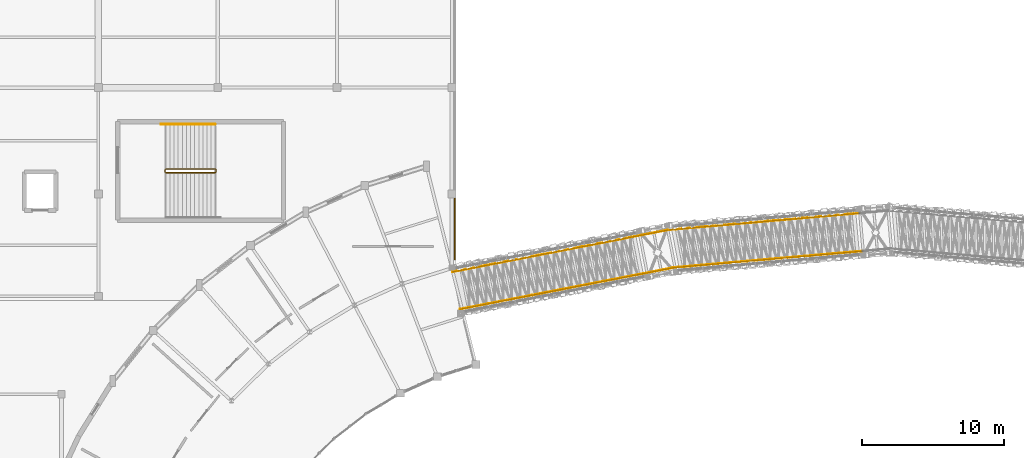
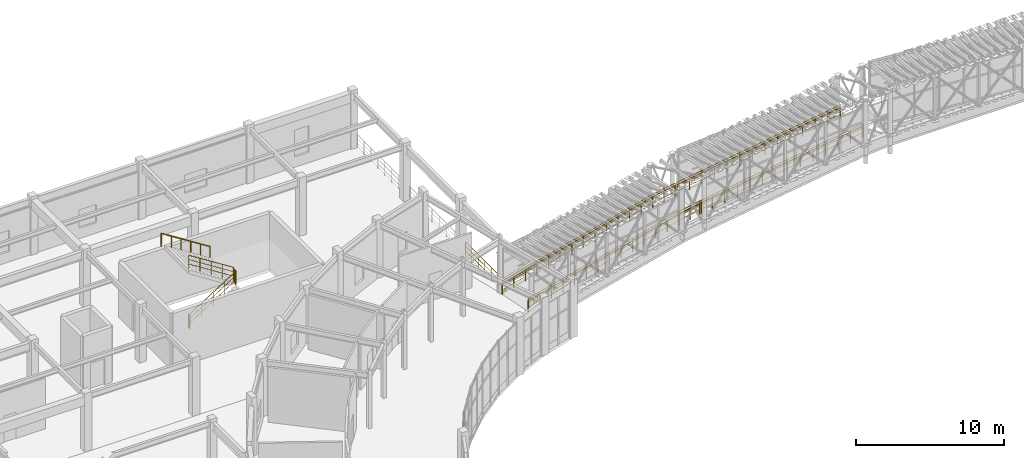
# One storey, part 138 of 144: 18 railings.
"""IFC4 building model written with IfcOpenShell, lengths in metres."""

from ifc_helpers import new_model, si_unit, direction, frame, origin, origin_2d, place, context, subcontext, project, spatial, circle, extrude, material, type_object, element, save


model = new_model("IFC4")

# Units and contexts
model_context = context("Model", 3, precision=1e-05, world=origin(), true_north=direction((0.0, 1.0)))
body_context = subcontext(model_context, "Body", "Model", "MODEL_VIEW")
ifc_project = project(units=[si_unit("LENGTHUNIT", "METRE"), si_unit("AREAUNIT", "SQUARE_METRE"), si_unit("VOLUMEUNIT", "CUBIC_METRE"), si_unit("PLANEANGLEUNIT", "RADIAN"), si_unit("MASSUNIT", "GRAM", prefix="KILO")], contexts=[model_context])

# Site, building, storey
site_placement = place(None, origin())
site = spatial("IfcSite", under=ifc_project, at=site_placement, CompositionType="ELEMENT")
building_placement = place(site_placement, origin())
building = spatial("IfcBuilding", under=site, at=building_placement, Name="Cinderbank Siding Concert Hall", CompositionType="ELEMENT")
storey_placement = place(building_placement, frame((0.0, 0.0, 5.39990234375)))
storey = spatial("IfcBuildingStorey", under=building, at=storey_placement, Name="L02", CompositionType="ELEMENT", Elevation=5.39990234375)

# Railings
ifc_material = material(Name="Structural steel AS/NZS 3679.1 Grade 350 (340 MPa)", Category="steel")
railing_type_1 = type_object("IfcRailingType", Name="GD-01 Terrace & Perimeter Guardrail 1120mm", PredefinedType="GUARDRAIL", material=ifc_material)
railing_1_placement = place(storey_placement, frame((48.54443359375, 97.81494140625, 0.0)))
element("IfcRailing", 1, at=railing_1_placement, inside=storey, type_object=railing_type_1, Name="Bridge Guardrail 1-L", PredefinedType="GUARDRAIL", context=body_context, shape_type="SweptSolid", body=[
    extrude(circle(Radius=0.02392578125, at=origin_2d()), frame((0.0, 0.0, 1.09619140625), z_axis=(0.979131926375, 0.190321837092, 0.071261974989), x_axis=(-0.190806938232, 0.981627583314, 0.0)), (0.0, 0.0, 1.0), 13.474365234375),
    extrude(circle(Radius=0.01611328125, at=origin_2d()), frame((0.0, 0.0, 0.36962890625), z_axis=(0.979131926375, 0.190321837092, 0.071261974989), x_axis=(-0.190806938232, 0.981627583314, 0.0)), (0.0, 0.0, 1.0), 13.474365234375),
    extrude(circle(Radius=0.01611328125, at=origin_2d()), frame((0.0, 0.0, 0.7392578125), z_axis=(0.979131926375, 0.190321837092, 0.071261974989), x_axis=(-0.190806938232, 0.981627583314, 0.0)), (0.0, 0.0, 1.0), 13.474365234375),
    extrude(circle(Radius=0.02099609375, at=origin_2d()), origin(), (0.0, 0.0, 1.0), 1.072021484375),
    extrude(circle(Radius=0.02099609375, at=origin_2d()), frame((1.014892578125, 0.197265625, 0.073974609375)), (0.0, 0.0, 1.0), 1.072021484375),
    extrude(circle(Radius=0.02099609375, at=origin_2d()), frame((2.02978515625, 0.39453125, 0.147705078125)), (0.0, 0.0, 1.0), 1.072021484375),
    extrude(circle(Radius=0.02099609375, at=origin_2d()), frame((3.044677734375, 0.591796875, 0.2216796875)), (0.0, 0.0, 1.0), 1.072021484375),
    extrude(circle(Radius=0.02099609375, at=origin_2d()), frame((4.059326171875, 0.7890625, 0.29541015625)), (0.0, 0.0, 1.0), 1.072021484375),
    extrude(circle(Radius=0.02099609375, at=origin_2d()), frame((5.07421875, 0.986328125, 0.369384765625)), (0.0, 0.0, 1.0), 1.072021484375),
    extrude(circle(Radius=0.02099609375, at=origin_2d()), frame((6.089111328125, 1.18359375, 0.443115234375)), (0.0, 0.0, 1.0), 1.072021484375),
    extrude(circle(Radius=0.02099609375, at=origin_2d()), frame((7.10400390625, 1.380859375, 0.51708984375)), (0.0, 0.0, 1.0), 1.072021484375),
    extrude(circle(Radius=0.02099609375, at=origin_2d()), frame((8.118896484375, 1.578125, 0.5908203125)), (0.0, 0.0, 1.0), 1.072021484375),
    extrude(circle(Radius=0.02099609375, at=origin_2d()), frame((9.1337890625, 1.775390625, 0.664794921875)), (0.0, 0.0, 1.0), 1.072021484375),
    extrude(circle(Radius=0.02099609375, at=origin_2d()), frame((10.1484375, 1.97265625, 0.738525390625)), (0.0, 0.0, 1.0), 1.072021484375),
    extrude(circle(Radius=0.02099609375, at=origin_2d()), frame((11.163330078125, 2.169921875, 0.8125)), (0.0, 0.0, 1.0), 1.072021484375),
    extrude(circle(Radius=0.02099609375, at=origin_2d()), frame((12.17822265625, 2.3671875, 0.88623046875)), (0.0, 0.0, 1.0), 1.072021484375),
    extrude(circle(Radius=0.02099609375, at=origin_2d()), frame((13.193115234375, 2.564453125, 0.960205078125)), (0.0, 0.0, 1.0), 1.072021484375),
])
railing_2_placement = place(storey_placement, frame((49.0556640625, 95.18505859375, 0.0)))
element("IfcRailing", 2, at=railing_2_placement, inside=storey, type_object=railing_type_1, Name="Bridge Guardrail 1-R", PredefinedType="GUARDRAIL", context=body_context, shape_type="SweptSolid", body=[
    extrude(circle(Radius=0.02392578125, at=origin_2d()), frame((0.0, 0.0, 1.09619140625), z_axis=(0.979131926375, 0.190321837092, 0.071261974989), x_axis=(-0.190806938232, 0.981627583314, 0.0)), (0.0, 0.0, 1.0), 13.474365234375),
    extrude(circle(Radius=0.01611328125, at=origin_2d()), frame((0.0, 0.0, 0.36962890625), z_axis=(0.979131926375, 0.190321837092, 0.071261974989), x_axis=(-0.190806938232, 0.981627583314, 0.0)), (0.0, 0.0, 1.0), 13.474365234375),
    extrude(circle(Radius=0.01611328125, at=origin_2d()), frame((0.0, 0.0, 0.7392578125), z_axis=(0.979131926375, 0.190321837092, 0.071261974989), x_axis=(-0.190806938232, 0.981627583314, 0.0)), (0.0, 0.0, 1.0), 13.474365234375),
    extrude(circle(Radius=0.02099609375, at=origin_2d()), origin(), (0.0, 0.0, 1.0), 1.072021484375),
    extrude(circle(Radius=0.02099609375, at=origin_2d()), frame((1.014892578125, 0.197265625, 0.073974609375)), (0.0, 0.0, 1.0), 1.072021484375),
    extrude(circle(Radius=0.02099609375, at=origin_2d()), frame((2.02978515625, 0.39453125, 0.147705078125)), (0.0, 0.0, 1.0), 1.072021484375),
    extrude(circle(Radius=0.02099609375, at=origin_2d()), frame((3.044677734375, 0.591796875, 0.2216796875)), (0.0, 0.0, 1.0), 1.072021484375),
    extrude(circle(Radius=0.02099609375, at=origin_2d()), frame((4.059326171875, 0.7890625, 0.29541015625)), (0.0, 0.0, 1.0), 1.072021484375),
    extrude(circle(Radius=0.02099609375, at=origin_2d()), frame((5.07421875, 0.986328125, 0.369384765625)), (0.0, 0.0, 1.0), 1.072021484375),
    extrude(circle(Radius=0.02099609375, at=origin_2d()), frame((6.089111328125, 1.18359375, 0.443115234375)), (0.0, 0.0, 1.0), 1.072021484375),
    extrude(circle(Radius=0.02099609375, at=origin_2d()), frame((7.10400390625, 1.380859375, 0.51708984375)), (0.0, 0.0, 1.0), 1.072021484375),
    extrude(circle(Radius=0.02099609375, at=origin_2d()), frame((8.118896484375, 1.578125, 0.5908203125)), (0.0, 0.0, 1.0), 1.072021484375),
    extrude(circle(Radius=0.02099609375, at=origin_2d()), frame((9.1337890625, 1.775390625, 0.664794921875)), (0.0, 0.0, 1.0), 1.072021484375),
    extrude(circle(Radius=0.02099609375, at=origin_2d()), frame((10.1484375, 1.97265625, 0.738525390625)), (0.0, 0.0, 1.0), 1.072021484375),
    extrude(circle(Radius=0.02099609375, at=origin_2d()), frame((11.163330078125, 2.169921875, 0.8125)), (0.0, 0.0, 1.0), 1.072021484375),
    extrude(circle(Radius=0.02099609375, at=origin_2d()), frame((12.17822265625, 2.3671875, 0.88623046875)), (0.0, 0.0, 1.0), 1.072021484375),
    extrude(circle(Radius=0.02099609375, at=origin_2d()), frame((13.193115234375, 2.564453125, 0.960205078125)), (0.0, 0.0, 1.0), 1.072021484375),
])
for number, where, name in (
    (3, (61.737548828125, 100.37939453125, 0.960205078125), "Bridge Guardrail 2-L"),
    (4, (62.248779296875, 97.74951171875, 0.960205078125), "Bridge Guardrail 2-R"),
):
    element("IfcRailing", number, at=place(storey_placement, frame(where)), inside=storey, type_object=railing_type_1, Name=name, PredefinedType="GUARDRAIL", context=body_context, shape_type="SweptSolid", body=[
        extrude(circle(Radius=0.02392578125, at=origin_2d()), frame((0.0, 0.0, 1.09619140625), z_axis=(0.981627459338, 0.190807576041, 0.0), x_axis=(-0.190807576041, 0.981627459338, 0.0)), (0.0, 0.0, 1.0), 1.999755859375),
        extrude(circle(Radius=0.01611328125, at=origin_2d()), frame((0.0, 0.0, 0.36962890625), z_axis=(0.981627459338, 0.190807576041, 0.0), x_axis=(-0.190807576041, 0.981627459338, 0.0)), (0.0, 0.0, 1.0), 1.999755859375),
        extrude(circle(Radius=0.01611328125, at=origin_2d()), frame((0.0, 0.0, 0.7392578125), z_axis=(0.981627459338, 0.190807576041, 0.0), x_axis=(-0.190807576041, 0.981627459338, 0.0)), (0.0, 0.0, 1.0), 1.999755859375),
        extrude(circle(Radius=0.02099609375, at=origin_2d()), origin(), (0.0, 0.0, 1.0), 1.072021484375),
        extrude(circle(Radius=0.02099609375, at=origin_2d()), frame((0.9814453125, 0.19091796875, 0.0)), (0.0, 0.0, 1.0), 1.072021484375),
        extrude(circle(Radius=0.02099609375, at=origin_2d()), frame((1.963134765625, 0.381591796875, 0.0)), (0.0, 0.0, 1.0), 1.072021484375),
    ])
railing_3_placement = place(storey_placement, frame((63.839599609375, 100.780517578125, 0.960205078125)))
element("IfcRailing", 5, at=railing_3_placement, inside=storey, type_object=railing_type_1, Name="Bridge Guardrail 3-L", PredefinedType="GUARDRAIL", context=body_context, shape_type="SweptSolid", body=[
    extrude(circle(Radius=0.02392578125, at=origin_2d()), frame((0.0, 0.0, 1.09619140625), z_axis=(0.993663242366, 0.086934888803, 0.071243848015), x_axis=(-0.087156359341, 0.996194644147, 0.0)), (0.0, 0.0, 1.0), 13.474365234375),
    extrude(circle(Radius=0.01611328125, at=origin_2d()), frame((0.0, 0.0, 0.36962890625), z_axis=(0.993663242366, 0.086934888803, 0.071243848015), x_axis=(-0.087156359341, 0.996194644147, 0.0)), (0.0, 0.0, 1.0), 13.474365234375),
    extrude(circle(Radius=0.01611328125, at=origin_2d()), frame((0.0, 0.0, 0.7392578125), z_axis=(0.993663242366, 0.086934888803, 0.071243848015), x_axis=(-0.087156359341, 0.996194644147, 0.0)), (0.0, 0.0, 1.0), 13.474365234375),
    extrude(circle(Radius=0.02099609375, at=origin_2d()), origin(), (0.0, 0.0, 1.0), 1.072021484375),
    extrude(circle(Radius=0.02099609375, at=origin_2d()), frame((1.030029296875, 0.090087890625, 0.07373046875)), (0.0, 0.0, 1.0), 1.072021484375),
    extrude(circle(Radius=0.02099609375, at=origin_2d()), frame((2.059814453125, 0.18017578125, 0.147705078125)), (0.0, 0.0, 1.0), 1.072021484375),
    extrude(circle(Radius=0.02099609375, at=origin_2d()), frame((3.08984375, 0.270263671875, 0.221435546875)), (0.0, 0.0, 1.0), 1.072021484375),
    extrude(circle(Radius=0.02099609375, at=origin_2d()), frame((4.11962890625, 0.3603515625, 0.29541015625)), (0.0, 0.0, 1.0), 1.072021484375),
    extrude(circle(Radius=0.02099609375, at=origin_2d()), frame((5.149658203125, 0.450439453125, 0.369140625)), (0.0, 0.0, 1.0), 1.072021484375),
    extrude(circle(Radius=0.02099609375, at=origin_2d()), frame((6.179443359375, 0.54052734375, 0.443115234375)), (0.0, 0.0, 1.0), 1.072021484375),
    extrude(circle(Radius=0.02099609375, at=origin_2d()), frame((7.20947265625, 0.630859375, 0.516845703125)), (0.0, 0.0, 1.0), 1.072021484375),
    extrude(circle(Radius=0.02099609375, at=origin_2d()), frame((8.2392578125, 0.720947265625, 0.5908203125)), (0.0, 0.0, 1.0), 1.072021484375),
    extrude(circle(Radius=0.02099609375, at=origin_2d()), frame((9.269287109375, 0.81103515625, 0.66455078125)), (0.0, 0.0, 1.0), 1.072021484375),
    extrude(circle(Radius=0.02099609375, at=origin_2d()), frame((10.299072265625, 0.901123046875, 0.738525390625)), (0.0, 0.0, 1.0), 1.072021484375),
    extrude(circle(Radius=0.02099609375, at=origin_2d()), frame((11.3291015625, 0.9912109375, 0.812255859375)), (0.0, 0.0, 1.0), 1.072021484375),
    extrude(circle(Radius=0.02099609375, at=origin_2d()), frame((12.35888671875, 1.081298828125, 0.88623046875)), (0.0, 0.0, 1.0), 1.072021484375),
    extrude(circle(Radius=0.02099609375, at=origin_2d()), frame((13.388916015625, 1.17138671875, 0.9599609375)), (0.0, 0.0, 1.0), 1.072021484375),
])
railing_4_placement = place(storey_placement, frame((64.072998046875, 98.11181640625, 0.960205078125)))
element("IfcRailing", 6, at=railing_4_placement, inside=storey, type_object=railing_type_1, Name="Bridge Guardrail 3-R", PredefinedType="GUARDRAIL", context=body_context, shape_type="SweptSolid", body=[
    extrude(circle(Radius=0.02392578125, at=origin_2d()), frame((0.0, 0.0, 1.09619140625), z_axis=(0.993663242366, 0.086934888803, 0.071243848015), x_axis=(-0.087156359341, 0.996194644147, 0.0)), (0.0, 0.0, 1.0), 13.474365234375),
    extrude(circle(Radius=0.01611328125, at=origin_2d()), frame((0.0, 0.0, 0.36962890625), z_axis=(0.993663242366, 0.086934888803, 0.071243848015), x_axis=(-0.087156359341, 0.996194644147, 0.0)), (0.0, 0.0, 1.0), 13.474365234375),
    extrude(circle(Radius=0.01611328125, at=origin_2d()), frame((0.0, 0.0, 0.7392578125), z_axis=(0.993663242366, 0.086934888803, 0.071243848015), x_axis=(-0.087156359341, 0.996194644147, 0.0)), (0.0, 0.0, 1.0), 13.474365234375),
    extrude(circle(Radius=0.02099609375, at=origin_2d()), origin(), (0.0, 0.0, 1.0), 1.072021484375),
    extrude(circle(Radius=0.02099609375, at=origin_2d()), frame((1.030029296875, 0.090087890625, 0.07373046875)), (0.0, 0.0, 1.0), 1.072021484375),
    extrude(circle(Radius=0.02099609375, at=origin_2d()), frame((2.059814453125, 0.18017578125, 0.147705078125)), (0.0, 0.0, 1.0), 1.072021484375),
    extrude(circle(Radius=0.02099609375, at=origin_2d()), frame((3.08984375, 0.270263671875, 0.221435546875)), (0.0, 0.0, 1.0), 1.072021484375),
    extrude(circle(Radius=0.02099609375, at=origin_2d()), frame((4.11962890625, 0.3603515625, 0.29541015625)), (0.0, 0.0, 1.0), 1.072021484375),
    extrude(circle(Radius=0.02099609375, at=origin_2d()), frame((5.149658203125, 0.450439453125, 0.369140625)), (0.0, 0.0, 1.0), 1.072021484375),
    extrude(circle(Radius=0.02099609375, at=origin_2d()), frame((6.179443359375, 0.54052734375, 0.443115234375)), (0.0, 0.0, 1.0), 1.072021484375),
    extrude(circle(Radius=0.02099609375, at=origin_2d()), frame((7.20947265625, 0.630859375, 0.516845703125)), (0.0, 0.0, 1.0), 1.072021484375),
    extrude(circle(Radius=0.02099609375, at=origin_2d()), frame((8.2392578125, 0.720947265625, 0.5908203125)), (0.0, 0.0, 1.0), 1.072021484375),
    extrude(circle(Radius=0.02099609375, at=origin_2d()), frame((9.269287109375, 0.81103515625, 0.66455078125)), (0.0, 0.0, 1.0), 1.072021484375),
    extrude(circle(Radius=0.02099609375, at=origin_2d()), frame((10.299072265625, 0.901123046875, 0.738525390625)), (0.0, 0.0, 1.0), 1.072021484375),
    extrude(circle(Radius=0.02099609375, at=origin_2d()), frame((11.3291015625, 0.9912109375, 0.812255859375)), (0.0, 0.0, 1.0), 1.072021484375),
    extrude(circle(Radius=0.02099609375, at=origin_2d()), frame((12.35888671875, 1.081298828125, 0.88623046875)), (0.0, 0.0, 1.0), 1.072021484375),
    extrude(circle(Radius=0.02099609375, at=origin_2d()), frame((13.388916015625, 1.17138671875, 0.9599609375)), (0.0, 0.0, 1.0), 1.072021484375),
])
railing_5_placement = place(storey_placement, frame((48.699951171875, 103.03173828125, 0.0)))
element("IfcRailing", 7, at=railing_5_placement, inside=storey, type_object=railing_type_1, Name="L02 Perimeter Guardrail #46", PredefinedType="GUARDRAIL", context=body_context, shape_type="SweptSolid", body=[
    extrude(circle(Radius=0.02392578125, at=origin_2d()), frame((0.0, 0.0, 1.09619140625), z_axis=(0.0, -1.0, 0.0), x_axis=(1.0, 0.0, 0.0)), (0.0, 0.0, 1.0), 4.336669921875),
    extrude(circle(Radius=0.01611328125, at=origin_2d()), frame((0.0, 0.0, 0.36962890625), z_axis=(0.0, -1.0, 0.0), x_axis=(1.0, 0.0, 0.0)), (0.0, 0.0, 1.0), 4.336669921875),
    extrude(circle(Radius=0.01611328125, at=origin_2d()), frame((0.0, 0.0, 0.7392578125), z_axis=(0.0, -1.0, 0.0), x_axis=(1.0, 0.0, 0.0)), (0.0, 0.0, 1.0), 4.336669921875),
    extrude(circle(Radius=0.02099609375, at=origin_2d()), origin(), (0.0, 0.0, 1.0), 1.072021484375),
    extrude(circle(Radius=0.02099609375, at=origin_2d()), frame((0.0, -0.867431640625, 0.0)), (0.0, 0.0, 1.0), 1.072021484375),
    extrude(circle(Radius=0.02099609375, at=origin_2d()), frame((0.0, -1.734619140625, 0.0)), (0.0, 0.0, 1.0), 1.072021484375),
    extrude(circle(Radius=0.02099609375, at=origin_2d()), frame((0.0, -2.60205078125, 0.0)), (0.0, 0.0, 1.0), 1.072021484375),
    extrude(circle(Radius=0.02099609375, at=origin_2d()), frame((0.0, -3.46923828125, 0.0)), (0.0, 0.0, 1.0), 1.072021484375),
    extrude(circle(Radius=0.02099609375, at=origin_2d()), frame((0.0, -4.336669921875, 0.0)), (0.0, 0.0, 1.0), 1.072021484375),
])
railing_type_2 = type_object("IfcRailingType", Name="HR-01 Accessible Ramp Handrail 920mm", PredefinedType="HANDRAIL", material=ifc_material)
railing_6_placement = place(storey_placement, frame((48.54443359375, 97.81494140625, 0.0)))
element("IfcRailing", 8, at=railing_6_placement, inside=storey, type_object=railing_type_2, Name="Bridge Handrail 1-L", PredefinedType="HANDRAIL", context=body_context, shape_type="SweptSolid", body=[
    extrude(circle(Radius=0.02392578125, at=origin_2d()), frame((0.0, 0.0, 0.89599609375), z_axis=(0.979131926375, 0.190321837092, 0.071261974989), x_axis=(-0.190806938232, 0.981627583314, 0.0)), (0.0, 0.0, 1.0), 13.474365234375),
    extrude(circle(Radius=0.02099609375, at=origin_2d()), origin(), (0.0, 0.0, 1.0), 0.871826171875),
    extrude(circle(Radius=0.02099609375, at=origin_2d()), frame((1.014892578125, 0.197265625, 0.073974609375)), (0.0, 0.0, 1.0), 0.871826171875),
    extrude(circle(Radius=0.02099609375, at=origin_2d()), frame((2.02978515625, 0.39453125, 0.147705078125)), (0.0, 0.0, 1.0), 0.871826171875),
    extrude(circle(Radius=0.02099609375, at=origin_2d()), frame((3.044677734375, 0.591796875, 0.2216796875)), (0.0, 0.0, 1.0), 0.871826171875),
    extrude(circle(Radius=0.02099609375, at=origin_2d()), frame((4.059326171875, 0.7890625, 0.29541015625)), (0.0, 0.0, 1.0), 0.871826171875),
    extrude(circle(Radius=0.02099609375, at=origin_2d()), frame((5.07421875, 0.986328125, 0.369384765625)), (0.0, 0.0, 1.0), 0.871826171875),
    extrude(circle(Radius=0.02099609375, at=origin_2d()), frame((6.089111328125, 1.18359375, 0.443115234375)), (0.0, 0.0, 1.0), 0.871826171875),
    extrude(circle(Radius=0.02099609375, at=origin_2d()), frame((7.10400390625, 1.380859375, 0.51708984375)), (0.0, 0.0, 1.0), 0.871826171875),
    extrude(circle(Radius=0.02099609375, at=origin_2d()), frame((8.118896484375, 1.578125, 0.5908203125)), (0.0, 0.0, 1.0), 0.871826171875),
    extrude(circle(Radius=0.02099609375, at=origin_2d()), frame((9.1337890625, 1.775390625, 0.664794921875)), (0.0, 0.0, 1.0), 0.871826171875),
    extrude(circle(Radius=0.02099609375, at=origin_2d()), frame((10.1484375, 1.97265625, 0.738525390625)), (0.0, 0.0, 1.0), 0.871826171875),
    extrude(circle(Radius=0.02099609375, at=origin_2d()), frame((11.163330078125, 2.169921875, 0.8125)), (0.0, 0.0, 1.0), 0.871826171875),
    extrude(circle(Radius=0.02099609375, at=origin_2d()), frame((12.17822265625, 2.3671875, 0.88623046875)), (0.0, 0.0, 1.0), 0.871826171875),
    extrude(circle(Radius=0.02099609375, at=origin_2d()), frame((13.193115234375, 2.564453125, 0.960205078125)), (0.0, 0.0, 1.0), 0.871826171875),
])
railing_7_placement = place(storey_placement, frame((49.0556640625, 95.18505859375, 0.0)))
element("IfcRailing", 9, at=railing_7_placement, inside=storey, type_object=railing_type_2, Name="Bridge Handrail 1-R", PredefinedType="HANDRAIL", context=body_context, shape_type="SweptSolid", body=[
    extrude(circle(Radius=0.02392578125, at=origin_2d()), frame((0.0, 0.0, 0.89599609375), z_axis=(0.979131926375, 0.190321837092, 0.071261974989), x_axis=(-0.190806938232, 0.981627583314, 0.0)), (0.0, 0.0, 1.0), 13.474365234375),
    extrude(circle(Radius=0.02099609375, at=origin_2d()), origin(), (0.0, 0.0, 1.0), 0.871826171875),
    extrude(circle(Radius=0.02099609375, at=origin_2d()), frame((1.014892578125, 0.197265625, 0.073974609375)), (0.0, 0.0, 1.0), 0.871826171875),
    extrude(circle(Radius=0.02099609375, at=origin_2d()), frame((2.02978515625, 0.39453125, 0.147705078125)), (0.0, 0.0, 1.0), 0.871826171875),
    extrude(circle(Radius=0.02099609375, at=origin_2d()), frame((3.044677734375, 0.591796875, 0.2216796875)), (0.0, 0.0, 1.0), 0.871826171875),
    extrude(circle(Radius=0.02099609375, at=origin_2d()), frame((4.059326171875, 0.7890625, 0.29541015625)), (0.0, 0.0, 1.0), 0.871826171875),
    extrude(circle(Radius=0.02099609375, at=origin_2d()), frame((5.07421875, 0.986328125, 0.369384765625)), (0.0, 0.0, 1.0), 0.871826171875),
    extrude(circle(Radius=0.02099609375, at=origin_2d()), frame((6.089111328125, 1.18359375, 0.443115234375)), (0.0, 0.0, 1.0), 0.871826171875),
    extrude(circle(Radius=0.02099609375, at=origin_2d()), frame((7.10400390625, 1.380859375, 0.51708984375)), (0.0, 0.0, 1.0), 0.871826171875),
    extrude(circle(Radius=0.02099609375, at=origin_2d()), frame((8.118896484375, 1.578125, 0.5908203125)), (0.0, 0.0, 1.0), 0.871826171875),
    extrude(circle(Radius=0.02099609375, at=origin_2d()), frame((9.1337890625, 1.775390625, 0.664794921875)), (0.0, 0.0, 1.0), 0.871826171875),
    extrude(circle(Radius=0.02099609375, at=origin_2d()), frame((10.1484375, 1.97265625, 0.738525390625)), (0.0, 0.0, 1.0), 0.871826171875),
    extrude(circle(Radius=0.02099609375, at=origin_2d()), frame((11.163330078125, 2.169921875, 0.8125)), (0.0, 0.0, 1.0), 0.871826171875),
    extrude(circle(Radius=0.02099609375, at=origin_2d()), frame((12.17822265625, 2.3671875, 0.88623046875)), (0.0, 0.0, 1.0), 0.871826171875),
    extrude(circle(Radius=0.02099609375, at=origin_2d()), frame((13.193115234375, 2.564453125, 0.960205078125)), (0.0, 0.0, 1.0), 0.871826171875),
])
for number, where, name in (
    (10, (61.737548828125, 100.37939453125, 0.960205078125), "Bridge Handrail 2-L"),
    (11, (62.248779296875, 97.74951171875, 0.960205078125), "Bridge Handrail 2-R"),
):
    element("IfcRailing", number, at=place(storey_placement, frame(where)), inside=storey, type_object=railing_type_2, Name=name, PredefinedType="HANDRAIL", context=body_context, shape_type="SweptSolid", body=[
        extrude(circle(Radius=0.02392578125, at=origin_2d()), frame((0.0, 0.0, 0.89599609375), z_axis=(0.981627459338, 0.190807576041, 0.0), x_axis=(-0.190807576041, 0.981627459338, 0.0)), (0.0, 0.0, 1.0), 1.999755859375),
        extrude(circle(Radius=0.02099609375, at=origin_2d()), origin(), (0.0, 0.0, 1.0), 0.871826171875),
        extrude(circle(Radius=0.02099609375, at=origin_2d()), frame((0.9814453125, 0.19091796875, 0.0)), (0.0, 0.0, 1.0), 0.871826171875),
        extrude(circle(Radius=0.02099609375, at=origin_2d()), frame((1.963134765625, 0.381591796875, 0.0)), (0.0, 0.0, 1.0), 0.871826171875),
    ])
railing_8_placement = place(storey_placement, frame((63.839599609375, 100.780517578125, 0.960205078125)))
element("IfcRailing", 12, at=railing_8_placement, inside=storey, type_object=railing_type_2, Name="Bridge Handrail 3-L", PredefinedType="HANDRAIL", context=body_context, shape_type="SweptSolid", body=[
    extrude(circle(Radius=0.02392578125, at=origin_2d()), frame((0.0, 0.0, 0.89599609375), z_axis=(0.993663242366, 0.086934888803, 0.071243848015), x_axis=(-0.087156359341, 0.996194644147, 0.0)), (0.0, 0.0, 1.0), 13.474365234375),
    extrude(circle(Radius=0.02099609375, at=origin_2d()), origin(), (0.0, 0.0, 1.0), 0.871826171875),
    extrude(circle(Radius=0.02099609375, at=origin_2d()), frame((1.030029296875, 0.090087890625, 0.07373046875)), (0.0, 0.0, 1.0), 0.871826171875),
    extrude(circle(Radius=0.02099609375, at=origin_2d()), frame((2.059814453125, 0.18017578125, 0.147705078125)), (0.0, 0.0, 1.0), 0.871826171875),
    extrude(circle(Radius=0.02099609375, at=origin_2d()), frame((3.08984375, 0.270263671875, 0.221435546875)), (0.0, 0.0, 1.0), 0.871826171875),
    extrude(circle(Radius=0.02099609375, at=origin_2d()), frame((4.11962890625, 0.3603515625, 0.29541015625)), (0.0, 0.0, 1.0), 0.871826171875),
    extrude(circle(Radius=0.02099609375, at=origin_2d()), frame((5.149658203125, 0.450439453125, 0.369140625)), (0.0, 0.0, 1.0), 0.871826171875),
    extrude(circle(Radius=0.02099609375, at=origin_2d()), frame((6.179443359375, 0.54052734375, 0.443115234375)), (0.0, 0.0, 1.0), 0.871826171875),
    extrude(circle(Radius=0.02099609375, at=origin_2d()), frame((7.20947265625, 0.630859375, 0.516845703125)), (0.0, 0.0, 1.0), 0.871826171875),
    extrude(circle(Radius=0.02099609375, at=origin_2d()), frame((8.2392578125, 0.720947265625, 0.5908203125)), (0.0, 0.0, 1.0), 0.871826171875),
    extrude(circle(Radius=0.02099609375, at=origin_2d()), frame((9.269287109375, 0.81103515625, 0.66455078125)), (0.0, 0.0, 1.0), 0.871826171875),
    extrude(circle(Radius=0.02099609375, at=origin_2d()), frame((10.299072265625, 0.901123046875, 0.738525390625)), (0.0, 0.0, 1.0), 0.871826171875),
    extrude(circle(Radius=0.02099609375, at=origin_2d()), frame((11.3291015625, 0.9912109375, 0.812255859375)), (0.0, 0.0, 1.0), 0.871826171875),
    extrude(circle(Radius=0.02099609375, at=origin_2d()), frame((12.35888671875, 1.081298828125, 0.88623046875)), (0.0, 0.0, 1.0), 0.871826171875),
    extrude(circle(Radius=0.02099609375, at=origin_2d()), frame((13.388916015625, 1.17138671875, 0.9599609375)), (0.0, 0.0, 1.0), 0.871826171875),
])
railing_9_placement = place(storey_placement, frame((64.072998046875, 98.11181640625, 0.960205078125)))
element("IfcRailing", 13, at=railing_9_placement, inside=storey, type_object=railing_type_2, Name="Bridge Handrail 3-R", PredefinedType="HANDRAIL", context=body_context, shape_type="SweptSolid", body=[
    extrude(circle(Radius=0.02392578125, at=origin_2d()), frame((0.0, 0.0, 0.89599609375), z_axis=(0.993663242366, 0.086934888803, 0.071243848015), x_axis=(-0.087156359341, 0.996194644147, 0.0)), (0.0, 0.0, 1.0), 13.474365234375),
    extrude(circle(Radius=0.02099609375, at=origin_2d()), origin(), (0.0, 0.0, 1.0), 0.871826171875),
    extrude(circle(Radius=0.02099609375, at=origin_2d()), frame((1.030029296875, 0.090087890625, 0.07373046875)), (0.0, 0.0, 1.0), 0.871826171875),
    extrude(circle(Radius=0.02099609375, at=origin_2d()), frame((2.059814453125, 0.18017578125, 0.147705078125)), (0.0, 0.0, 1.0), 0.871826171875),
    extrude(circle(Radius=0.02099609375, at=origin_2d()), frame((3.08984375, 0.270263671875, 0.221435546875)), (0.0, 0.0, 1.0), 0.871826171875),
    extrude(circle(Radius=0.02099609375, at=origin_2d()), frame((4.11962890625, 0.3603515625, 0.29541015625)), (0.0, 0.0, 1.0), 0.871826171875),
    extrude(circle(Radius=0.02099609375, at=origin_2d()), frame((5.149658203125, 0.450439453125, 0.369140625)), (0.0, 0.0, 1.0), 0.871826171875),
    extrude(circle(Radius=0.02099609375, at=origin_2d()), frame((6.179443359375, 0.54052734375, 0.443115234375)), (0.0, 0.0, 1.0), 0.871826171875),
    extrude(circle(Radius=0.02099609375, at=origin_2d()), frame((7.20947265625, 0.630859375, 0.516845703125)), (0.0, 0.0, 1.0), 0.871826171875),
    extrude(circle(Radius=0.02099609375, at=origin_2d()), frame((8.2392578125, 0.720947265625, 0.5908203125)), (0.0, 0.0, 1.0), 0.871826171875),
    extrude(circle(Radius=0.02099609375, at=origin_2d()), frame((9.269287109375, 0.81103515625, 0.66455078125)), (0.0, 0.0, 1.0), 0.871826171875),
    extrude(circle(Radius=0.02099609375, at=origin_2d()), frame((10.299072265625, 0.901123046875, 0.738525390625)), (0.0, 0.0, 1.0), 0.871826171875),
    extrude(circle(Radius=0.02099609375, at=origin_2d()), frame((11.3291015625, 0.9912109375, 0.812255859375)), (0.0, 0.0, 1.0), 0.871826171875),
    extrude(circle(Radius=0.02099609375, at=origin_2d()), frame((12.35888671875, 1.081298828125, 0.88623046875)), (0.0, 0.0, 1.0), 0.871826171875),
    extrude(circle(Radius=0.02099609375, at=origin_2d()), frame((13.388916015625, 1.17138671875, 0.9599609375)), (0.0, 0.0, 1.0), 0.871826171875),
])
railing_type_3 = type_object("IfcRailingType", Name="STG-01 Stair Well Guardrail 1120mm", PredefinedType="GUARDRAIL", material=ifc_material)
railing_10_placement = place(storey_placement, frame((28.35009765625, 104.800048828125, 0.184814453125)))
element("IfcRailing", 14, at=railing_10_placement, inside=storey, type_object=railing_type_3, Name="L02 ST-05 stair guard 1", PredefinedType="GUARDRAIL", context=body_context, shape_type="SweptSolid", body=[
    extrude(circle(Radius=0.02392578125, at=origin_2d()), frame((0.0, 0.0, 1.09619140625), z_axis=(0.843573748531, 0.0, 0.537013343214), x_axis=(0.0, 1.0, 0.0)), (0.0, 0.0, 1.0), 4.125244140625),
    extrude(circle(Radius=0.01611328125, at=origin_2d()), frame((0.0, 0.0, 0.36962890625), z_axis=(0.843573748531, 0.0, 0.537013343214), x_axis=(0.0, 1.0, 0.0)), (0.0, 0.0, 1.0), 4.125244140625),
    extrude(circle(Radius=0.01611328125, at=origin_2d()), frame((0.0, 0.0, 0.7392578125), z_axis=(0.843573748531, 0.0, 0.537013343214), x_axis=(0.0, 1.0, 0.0)), (0.0, 0.0, 1.0), 4.125244140625),
    extrude(circle(Radius=0.02099609375, at=origin_2d()), origin(), (0.0, 0.0, 1.0), 1.072021484375),
    extrude(circle(Radius=0.02099609375, at=origin_2d()), frame((0.8701171875, 0.0, 0.5537109375)), (0.0, 0.0, 1.0), 1.072021484375),
    extrude(circle(Radius=0.02099609375, at=origin_2d()), frame((1.739990234375, 0.0, 1.107666015625)), (0.0, 0.0, 1.0), 1.072021484375),
    extrude(circle(Radius=0.02099609375, at=origin_2d()), frame((2.60986328125, 0.0, 1.66162109375)), (0.0, 0.0, 1.0), 1.072021484375),
    extrude(circle(Radius=0.02099609375, at=origin_2d()), frame((3.47998046875, 0.0, 2.21533203125)), (0.0, 0.0, 1.0), 1.072021484375),
])
railing_11_placement = place(storey_placement, frame((31.8798828125, 104.85009765625, 2.400146484375)))
element("IfcRailing", 15, at=railing_11_placement, inside=storey, type_object=railing_type_3, Name="L02 ST-05 stair guard 2", PredefinedType="GUARDRAIL", context=body_context, shape_type="SweptSolid", body=[
    extrude(circle(Radius=0.02392578125, at=origin_2d()), frame((0.0, 0.0, 1.09619140625), z_axis=(0.0, 1.0, 0.0), x_axis=(-1.0, 0.0, 0.0)), (0.0, 0.0, 1.0), 0.159912109375),
    extrude(circle(Radius=0.01611328125, at=origin_2d()), frame((0.0, 0.0, 0.36962890625), z_axis=(0.0, 1.0, 0.0), x_axis=(-1.0, 0.0, 0.0)), (0.0, 0.0, 1.0), 0.159912109375),
    extrude(circle(Radius=0.01611328125, at=origin_2d()), frame((0.0, 0.0, 0.7392578125), z_axis=(0.0, 1.0, 0.0), x_axis=(-1.0, 0.0, 0.0)), (0.0, 0.0, 1.0), 0.159912109375),
    extrude(circle(Radius=0.02099609375, at=origin_2d()), origin(), (0.0, 0.0, 1.0), 1.072021484375),
    extrude(circle(Radius=0.02099609375, at=origin_2d()), frame((0.0, 0.159912109375, 0.0)), (0.0, 0.0, 1.0), 1.072021484375),
])
railing_12_placement = place(storey_placement, frame((31.830078125, 105.06005859375, 2.584716796875)))
element("IfcRailing", 16, at=railing_12_placement, inside=storey, type_object=railing_type_3, Name="L02 ST-05 stair guard 3", PredefinedType="GUARDRAIL", context=body_context, shape_type="SweptSolid", body=[
    extrude(circle(Radius=0.02392578125, at=origin_2d()), frame((0.0, 0.0, 1.09619140625), z_axis=(-0.843573748531, 0.0, 0.537013343214), x_axis=(0.0, -1.0, 0.0)), (0.0, 0.0, 1.0), 4.125244140625),
    extrude(circle(Radius=0.01611328125, at=origin_2d()), frame((0.0, 0.0, 0.36962890625), z_axis=(-0.843573748531, 0.0, 0.537013343214), x_axis=(0.0, -1.0, 0.0)), (0.0, 0.0, 1.0), 4.125244140625),
    extrude(circle(Radius=0.01611328125, at=origin_2d()), frame((0.0, 0.0, 0.7392578125), z_axis=(-0.843573748531, 0.0, 0.537013343214), x_axis=(0.0, -1.0, 0.0)), (0.0, 0.0, 1.0), 4.125244140625),
    extrude(circle(Radius=0.02099609375, at=origin_2d()), origin(), (0.0, 0.0, 1.0), 1.072021484375),
    extrude(circle(Radius=0.02099609375, at=origin_2d()), frame((-0.8701171875, 0.0, 0.5537109375)), (0.0, 0.0, 1.0), 1.072021484375),
    extrude(circle(Radius=0.02099609375, at=origin_2d()), frame((-1.739990234375, 0.0, 1.107666015625)), (0.0, 0.0, 1.0), 1.072021484375),
    extrude(circle(Radius=0.02099609375, at=origin_2d()), frame((-2.60986328125, 0.0, 1.66162109375)), (0.0, 0.0, 1.0), 1.072021484375),
    extrude(circle(Radius=0.02099609375, at=origin_2d()), frame((-3.47998046875, 0.0, 2.21533203125)), (0.0, 0.0, 1.0), 1.072021484375),
])
railing_13_placement = place(storey_placement, frame((28.300048828125, 104.85009765625, 0.0)))
element("IfcRailing", 17, at=railing_13_placement, inside=storey, type_object=railing_type_3, Name="L02 ST-05 stair guard 4", PredefinedType="GUARDRAIL", context=body_context, shape_type="SweptSolid", body=[
    extrude(circle(Radius=0.02392578125, at=origin_2d()), frame((0.0, 0.0, 1.09619140625), z_axis=(0.0, 1.0, 0.0), x_axis=(-1.0, 0.0, 0.0)), (0.0, 0.0, 1.0), 0.159912109375),
    extrude(circle(Radius=0.01611328125, at=origin_2d()), frame((0.0, 0.0, 0.36962890625), z_axis=(0.0, 1.0, 0.0), x_axis=(-1.0, 0.0, 0.0)), (0.0, 0.0, 1.0), 0.159912109375),
    extrude(circle(Radius=0.01611328125, at=origin_2d()), frame((0.0, 0.0, 0.7392578125), z_axis=(0.0, 1.0, 0.0), x_axis=(-1.0, 0.0, 0.0)), (0.0, 0.0, 1.0), 0.159912109375),
    extrude(circle(Radius=0.02099609375, at=origin_2d()), origin(), (0.0, 0.0, 1.0), 1.072021484375),
    extrude(circle(Radius=0.02099609375, at=origin_2d()), frame((0.0, 0.159912109375, 0.0)), (0.0, 0.0, 1.0), 1.072021484375),
])
railing_type_4 = type_object("IfcRailingType", Name="STH-01 Stair Pitch Handrail 920mm", PredefinedType="HANDRAIL", material=ifc_material)
railing_14_placement = place(storey_placement, frame((31.830078125, 108.2099609375, 2.584716796875)))
element("IfcRailing", 18, at=railing_14_placement, inside=storey, type_object=railing_type_4, Name="L02 ST-05 stair handrail 2", PredefinedType="HANDRAIL", context=body_context, shape_type="SweptSolid", body=[
    extrude(circle(Radius=0.02392578125, at=origin_2d()), frame((0.0, 0.0, 0.89599609375), z_axis=(-0.843580498726, 0.0, 0.537002739443), x_axis=(0.0, -1.0, 0.0)), (0.0, 0.0, 1.0), 4.468994140625),
    extrude(circle(Radius=0.02392578125, at=origin_2d()), frame((-3.77001953125, 0.0, 3.2958984375), z_axis=(-1.0, 0.0, 0.0), x_axis=(0.0, -1.0, 0.0)), (0.0, 0.0, 1.0), 0.06005859375),
    extrude(circle(Radius=0.02099609375, at=origin_2d()), origin(), (0.0, 0.0, 1.0), 0.871826171875),
    extrude(circle(Radius=0.02099609375, at=origin_2d()), frame((-0.75390625, 0.0, 0.47998046875)), (0.0, 0.0, 1.0), 0.871826171875),
    extrude(circle(Radius=0.02099609375, at=origin_2d()), frame((-1.508056640625, 0.0, 0.9599609375)), (0.0, 0.0, 1.0), 0.871826171875),
    extrude(circle(Radius=0.02099609375, at=origin_2d()), frame((-2.261962890625, 0.0, 1.43994140625)), (0.0, 0.0, 1.0), 0.871826171875),
    extrude(circle(Radius=0.02099609375, at=origin_2d()), frame((-3.01611328125, 0.0, 1.919921875)), (0.0, 0.0, 1.0), 0.871826171875),
    extrude(circle(Radius=0.02099609375, at=origin_2d()), frame((-3.77001953125, 0.0, 2.39990234375)), (0.0, 0.0, 1.0), 0.871826171875),
    extrude(circle(Radius=0.02099609375, at=origin_2d()), frame((-3.830078125, 0.0, 2.21533203125)), (0.0, 0.0, 1.0), 1.056396484375),
])

save(model, "model.ifc")
